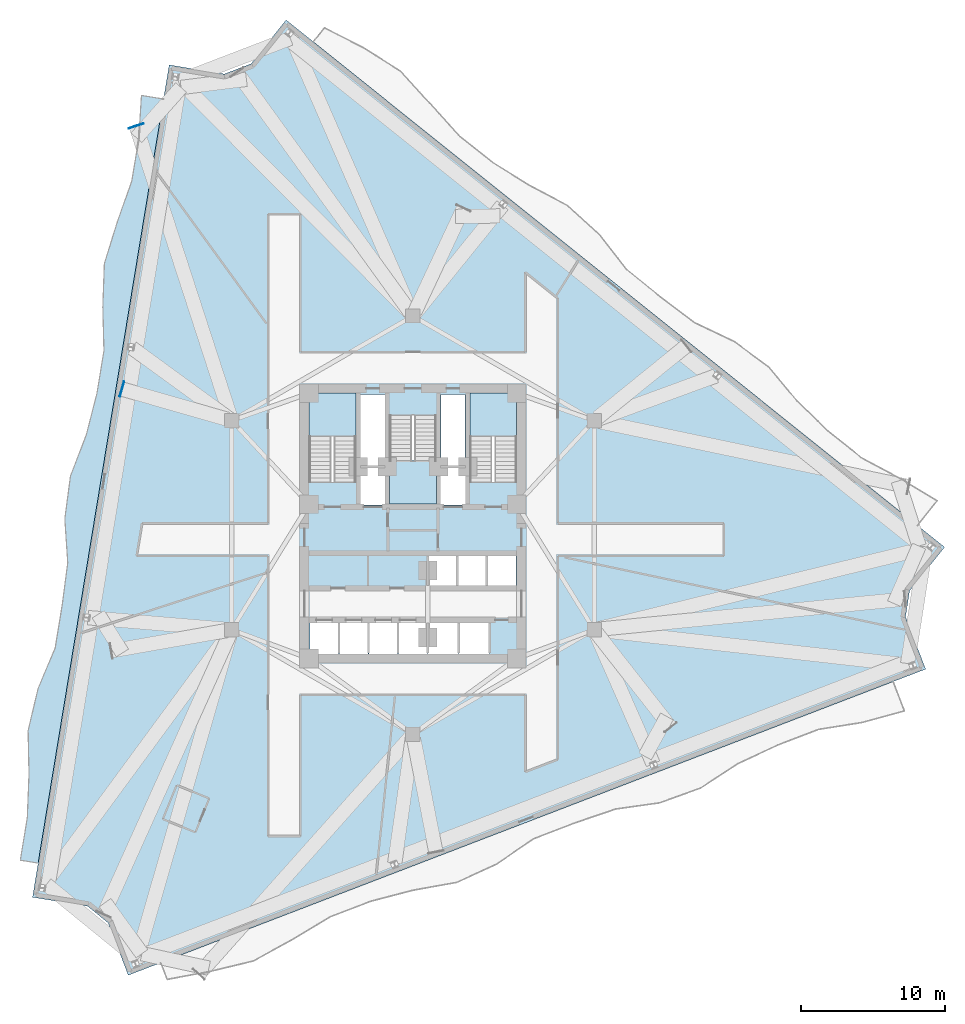
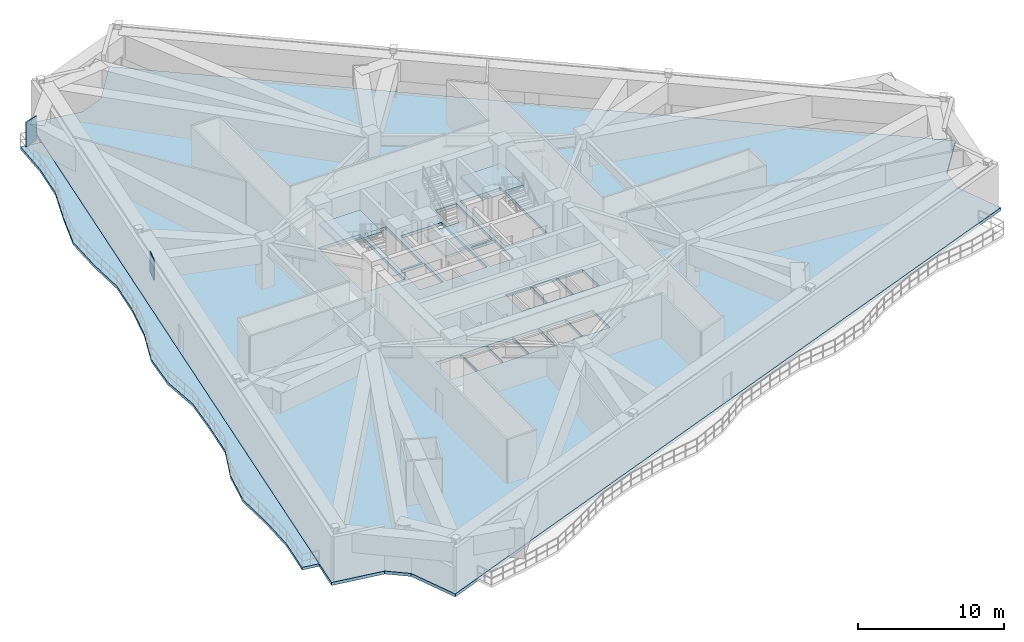
# One storey, part 5 of 14: 5 slabs, 2 plates, 3 elements without a shape of their own.
"""IFC4 building model written with IfcOpenShell, lengths in metres."""

from ifc_helpers import new_model, si_unit, direction, frame, origin, origin_2d, place, context, subcontext, project, spatial, polyline, rectangle, outline, extrude, material, layer, layer_set, type_object, element, aggregate, save


model = new_model("IFC4")

# Units and contexts
model_context = context("Model", 3, precision=1e-05, world=origin(), true_north=direction((0.0, 1.0)))
body_context = subcontext(model_context, "Body", "Model", "MODEL_VIEW")
ifc_project = project(units=[si_unit("LENGTHUNIT", "METRE"), si_unit("AREAUNIT", "SQUARE_METRE"), si_unit("VOLUMEUNIT", "CUBIC_METRE"), si_unit("PLANEANGLEUNIT", "RADIAN"), si_unit("MASSUNIT", "GRAM", prefix="KILO")], contexts=[model_context])

# Site, building, storey
site_placement = place(None, origin())
site = spatial("IfcSite", under=ifc_project, at=site_placement, CompositionType="ELEMENT")
building_placement = place(site_placement, origin())
building = spatial("IfcBuilding", under=site, at=building_placement, Name="Apsidion Concourse Tower", CompositionType="ELEMENT")
storey_placement = place(building_placement, frame((0.0, 0.0, 156.800048828125)))
storey = spatial("IfcBuildingStorey", under=building, at=storey_placement, Name="L36", CompositionType="ELEMENT", Elevation=156.800048828125)

# Plates
ifc_material_1 = material(Name="Structural steel ASTM A572 Grade 50", Category="steel")
ifc_layer_1 = layer(ifc_material_1, 0.034912109375)
ifc_layer_set_1 = layer_set([ifc_layer_1], Name="Structural steel ASTM A572 Grade 50")
plate_type = type_object("IfcPlateType", Name="PL-ENDCAP-35", PredefinedType="USERDEFINED", material=ifc_layer_set_1)
plate_1_placement = place(storey_placement, frame((-19.199951171875, 27.681396484375, 1.659912109375), z_axis=(0.0, 0.0, 1.0), x_axis=(-0.309016994375, 0.951056516295, 0.0)))
element("IfcPlate", 1, at=plate_1_placement, inside=storey, type_object=plate_type, Name="L36 Radial Transfer Girder End-Cap Plate NTRCAP-01", ObjectType="FLANGE_PLATE", PredefinedType="USERDEFINED", context=body_context, shape_type="SweptSolid", body=[
    extrude(rectangle(XDim=0.044921875, YDim=1.080078125, at=origin_2d()), origin(), (0.0, 0.0, 1.0), 2.080078125),
])
plate_2_placement = place(storey_placement, frame((-20.177734375, 9.4365234375, 2.06005859375), z_axis=(0.0, 0.0, 1.0), x_axis=(-0.961165421789, 0.275972882649, 0.0)))
element("IfcPlate", 2, at=plate_2_placement, inside=storey, type_object=plate_type, Name="L36 Radial Transfer Girder End-Cap Plate NTRCAP-02", ObjectType="FLANGE_PLATE", PredefinedType="USERDEFINED", context=body_context, shape_type="SweptSolid", body=[
    extrude(rectangle(XDim=0.044921875, YDim=1.080078125, at=origin_2d()), origin(), (0.0, 0.0, 1.0), 1.679931640625),
])

# Slabs
ifc_material_2 = material(Name="Concrete C50/60", Category="concrete")
ifc_layer_2 = layer(ifc_material_2, 0.219970703125)
ifc_layer_set_2 = layer_set([ifc_layer_2], Name="Concrete C50/60")
slab_type_1 = type_object("IfcSlabType", Name="SL-BAL-220", PredefinedType="FLOOR", material=ifc_layer_set_2)
slab_1_placement = place(storey_placement, frame((0.0, 0.0, -0.219970703125)))
element("IfcSlab", 3, at=slab_1_placement, inside=storey, type_object=slab_type_1, Name="L36 Face 1 Rippling Balcony Slab", PredefinedType="FLOOR", context=body_context, shape_type="SweptSolid", body=[
    extrude(outline(polyline([(-17.293701171875, 29.547119140625), (-17.77685546875, 26.603515625), (-18.260009765625, 23.66015625), (-18.7431640625, 20.716552734375), (-19.226318359375, 17.77294921875), (-19.709716796875, 14.829345703125), (-20.192626953125, 11.8857421875), (-20.67578125, 8.9423828125), (-21.1591796875, 5.998779296875), (-21.642333984375, 3.05517578125), (-22.12548828125, 0.111572265625), (-22.608642578125, -2.83203125), (-23.091796875, -5.775390625), (-23.574951171875, -8.718994140625), (-24.05810546875, -11.66259765625), (-24.541259765625, -14.606201171875), (-25.0244140625, -17.5498046875), (-25.507568359375, -20.493408203125), (-25.99072265625, -23.43701171875), (-27.224365234375, -23.234375), (-26.7412109375, -20.291015625), (-26.62255859375, -17.28759765625), (-26.68505859375, -14.25439453125), (-25.99658203125, -11.344482421875), (-24.808349609375, -8.5166015625), (-24.3251953125, -5.572998046875), (-23.93701171875, -2.614013671875), (-24.1376953125, 0.44189453125), (-23.74853515625, 3.40087890625), (-22.654296875, 6.244140625), (-21.909423828125, 9.144775390625), (-21.42626953125, 12.08837890625), (-21.50439453125, 15.1240234375), (-21.397216796875, 18.12939453125), (-20.50634765625, 21.005859375), (-19.49365234375, 23.862548828125), (-19.010498046875, 26.80615234375), (-18.8232421875, 29.79833984375), (-17.293701171875, 29.547119140625)])), origin(), (0.0, 0.0, 1.0), 0.219970703125),
])
ifc_layer_3 = layer(ifc_material_2, 0.25)
ifc_layer_set_3 = layer_set([ifc_layer_3], Name="Concrete C50/60")
slab_type_2 = type_object("IfcSlabType", Name="SL-FLR-250", PredefinedType="FLOOR", material=ifc_layer_set_3)
slab_2_placement = place(storey_placement, frame((0.0, 0.0, -0.25)))
element("IfcSlab", 4, at=slab_2_placement, inside=storey, type_object=slab_type_2, Name="L36 Structural Floor Slab", PredefinedType="FLOOR", context=body_context, shape_type="SweptSolid", body=[
    extrude(outline(polyline([(-8.792724609375, 35.029541015625), (-11.219970703125, 31.997802734375), (-13.072509765625, 31.286376953125), (-16.905029296875, 31.91552734375), (-26.37939453125, -25.80517578125), (-22.547119140625, -26.434326171875), (-21.131103515625, -27.587646484375), (-19.7392578125, -31.21337890625), (35.554931640625, -9.98779296875), (34.1630859375, -6.3623046875), (34.44384765625, -4.5576171875), (36.870849609375, -1.525634765625), (-8.792724609375, 35.029541015625)]), holes=[polyline([(-3.949951171875, 3.0), (-3.949951171875, 9.14990234375), (-7.199951171875, 9.14990234375), (-7.199951171875, 3.0), (-3.949951171875, 3.0)]), polyline([(7.199951171875, 3.0), (7.199951171875, 9.14990234375), (3.949951171875, 9.14990234375), (3.949951171875, 3.0), (7.199951171875, 3.0)]), polyline([(-1.625, 7.60009765625), (-1.625, 1.449951171875), (1.625, 1.449951171875), (1.625, 7.60009765625), (-1.625, 7.60009765625)]), polyline([(1.054931640625, -4.300048828125), (3.044921875, -4.300048828125), (3.044921875, -2.050048828125), (1.054931640625, -2.050048828125), (1.054931640625, -4.300048828125)]), polyline([(3.10498046875, -4.300048828125), (5.094970703125, -4.300048828125), (5.094970703125, -2.050048828125), (3.10498046875, -2.050048828125), (3.10498046875, -4.300048828125)]), polyline([(5.155029296875, -4.300048828125), (7.14501953125, -4.300048828125), (7.14501953125, -2.050048828125), (5.155029296875, -2.050048828125), (5.155029296875, -4.300048828125)]), polyline([(-7.14501953125, -8.949951171875), (-5.155029296875, -8.949951171875), (-5.155029296875, -6.64990234375), (-7.14501953125, -6.64990234375), (-7.14501953125, -8.949951171875)]), polyline([(-5.094970703125, -8.949951171875), (-3.10498046875, -8.949951171875), (-3.10498046875, -6.64990234375), (-5.094970703125, -6.64990234375), (-5.094970703125, -8.949951171875)]), polyline([(-3.044921875, -8.949951171875), (-1.054931640625, -8.949951171875), (-1.054931640625, -6.64990234375), (-3.044921875, -6.64990234375), (-3.044921875, -8.949951171875)]), polyline([(-0.9951171875, -8.949951171875), (0.9951171875, -8.949951171875), (0.9951171875, -6.64990234375), (-0.9951171875, -6.64990234375), (-0.9951171875, -8.949951171875)]), polyline([(1.044921875, -9.0), (3.155029296875, -9.0), (3.155029296875, -6.64990234375), (1.044921875, -6.64990234375), (1.044921875, -9.0)]), polyline([(3.195068359375, -9.0), (5.304931640625, -9.0), (5.304931640625, -6.64990234375), (3.195068359375, -6.64990234375), (3.195068359375, -9.0)]), polyline([(-3.7099609375, 1.39990234375), (-1.85009765625, 1.39990234375), (-1.85009765625, 4.0), (-3.7099609375, 4.0), (-3.7099609375, 1.39990234375)]), polyline([(1.85009765625, 1.39990234375), (3.7099609375, 1.39990234375), (3.7099609375, 4.0), (1.85009765625, 4.0), (1.85009765625, 1.39990234375)]), polyline([(-3.6201171875, 4.14990234375), (-1.93994140625, 4.14990234375), (-1.93994140625, 9.050048828125), (-3.6201171875, 9.050048828125), (-3.6201171875, 4.14990234375)]), polyline([(1.93994140625, 4.14990234375), (3.6201171875, 4.14990234375), (3.6201171875, 9.050048828125), (1.93994140625, 9.050048828125), (1.93994140625, 4.14990234375)])]), origin(), (0.0, 0.0, 1.0), 0.25),
])

# Stair, slab
ifc_material_3 = material(Name="Precast concrete C40/50", Category="concrete")
stair_type = type_object("IfcStairType", Name="ST-DL-1550", PredefinedType="HALF_TURN_STAIR", material=ifc_material_3)
stair_1_placement = place(storey_placement, origin())
stair_1 = element("IfcStair", 5, at=stair_1_placement, inside=storey, type_object=stair_type, Name="L36 Protected Core Exit Stair ST1", PredefinedType="HALF_TURN_STAIR")
ifc_layer_4 = layer(ifc_material_2, 0.199951171875)
ifc_layer_set_4 = layer_set([ifc_layer_4], Name="Concrete C50/60")
slab_type_3 = type_object("IfcSlabType", Name="SL-ST-LAND-200", PredefinedType="LANDING", material=ifc_layer_set_4)
slab_3_placement = place(storey_placement, frame((0.0, 0.0, 1.849853515625)))
slab_3 = element("IfcSlab", 6, at=slab_3_placement, type_object=slab_type_3, Name="ST1 landing 1", PredefinedType="LANDING", context=body_context, shape_type="SweptSolid", body=[
    extrude(outline(polyline([(-3.949951171875, 6.135009765625), (-3.949951171875, 9.14990234375), (-7.199951171875, 9.14990234375), (-7.199951171875, 6.135009765625), (-3.949951171875, 6.135009765625)])), origin(), (0.0, 0.0, 1.0), 0.2001953125),
])
aggregate(stair_1, [slab_3])

stair_2_placement = place(storey_placement, origin())
stair_2 = element("IfcStair", 7, at=stair_2_placement, inside=storey, type_object=stair_type, Name="L36 Protected Core Exit Stair ST2", PredefinedType="HALF_TURN_STAIR")
slab_4_placement = place(storey_placement, frame((0.0, 0.0, 1.849853515625)))
slab_4 = element("IfcSlab", 8, at=slab_4_placement, type_object=slab_type_3, Name="ST2 landing 1", PredefinedType="LANDING", context=body_context, shape_type="SweptSolid", body=[
    extrude(outline(polyline([(7.199951171875, 6.135009765625), (7.199951171875, 9.14990234375), (3.949951171875, 9.14990234375), (3.949951171875, 6.135009765625), (7.199951171875, 6.135009765625)])), origin(), (0.0, 0.0, 1.0), 0.2001953125),
])
aggregate(stair_2, [slab_4])

stair_3_placement = place(storey_placement, origin())
stair_3 = element("IfcStair", 9, at=stair_3_placement, inside=storey, type_object=stair_type, Name="L36 Protected Core Exit Stair ST3", PredefinedType="HALF_TURN_STAIR")
slab_5_placement = place(storey_placement, frame((0.0, 0.0, 1.849853515625)))
slab_5 = element("IfcSlab", 10, at=slab_5_placement, type_object=slab_type_3, Name="ST3 landing 1", PredefinedType="LANDING", context=body_context, shape_type="SweptSolid", body=[
    extrude(outline(polyline([(-1.625, 4.465087890625), (-1.625, 1.449951171875), (1.625, 1.449951171875), (1.625, 4.465087890625), (-1.625, 4.465087890625)])), origin(), (0.0, 0.0, 1.0), 0.2001953125),
])
aggregate(stair_3, [slab_5])

save(model, "model.ifc")
